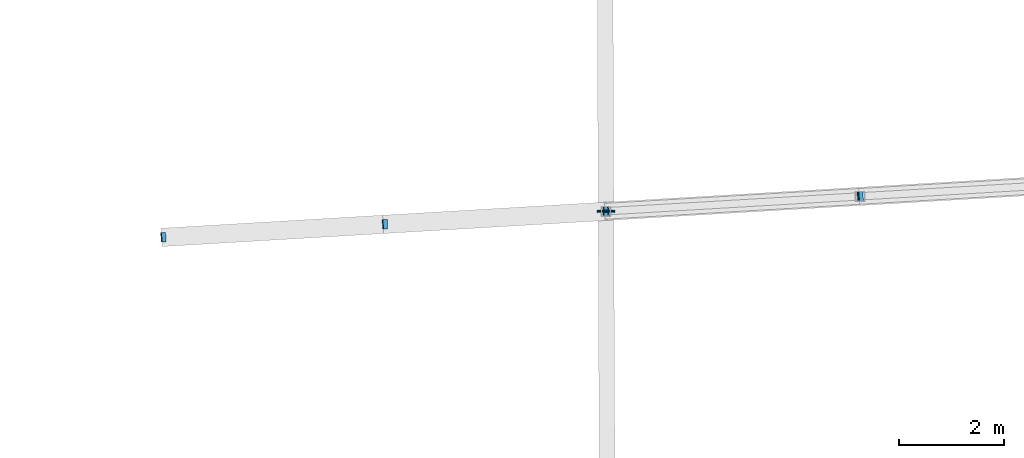
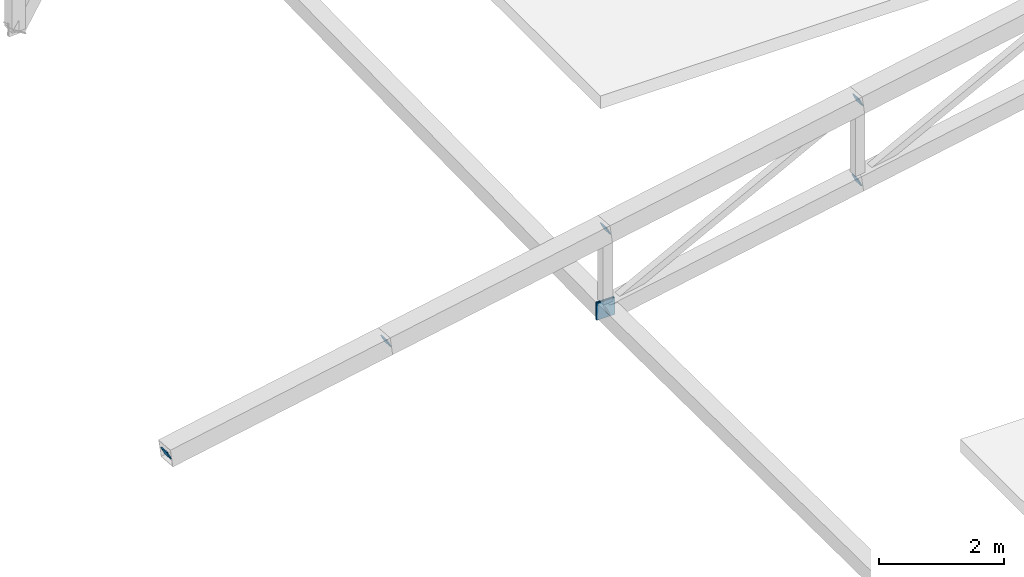
# One storey, part 175 of 188: 8 discrete accessories.
"""IFC4 building model written with IfcOpenShell, lengths in metres."""

import ifcopenshell
import ifcopenshell.guid

model = None  # the IFC model being written
_history = None  # IfcOwnerHistory: only IFC2X3 demands one
_inside = {}  # id of a spatial element -> (the spatial element, [elements in it])
_under = {}  # id of a project, library or spatial element -> (it, [spatial elements below it])
_declared = {}  # id of a project -> (the project, [libraries it declares])
_typed = {}  # id of a type object -> (the type object, [elements of that type])
_made_of = {}  # id of a material, layer set ... -> (it, [elements and type objects made of it])


def new_model(schema):
    """Start an empty IFC model of exactly this schema.

    Asked for "IFC4X3", IfcOpenShell would pick the latest addendum, in which some entities
    have other attributes; the version numbers below select the first issue.
    IFC2X3 requires an IfcOwnerHistory on every rooted entity: one is made here for all.
    """
    global model, _history
    if schema == "IFC4X3":
        model = ifcopenshell.file(schema_version=(4, 3, 0, 0))
    else:
        model = ifcopenshell.file(schema=schema)
    _inside.clear()
    _under.clear()
    _declared.clear()
    _typed.clear()
    _made_of.clear()
    _history = None
    if model.schema == "IFC2X3":
        org = make("IfcOrganization", Name="unknown")
        user = make(
            "IfcPersonAndOrganization",
            ThePerson=make("IfcPerson", FamilyName="unknown"),
            TheOrganization=org,
        )
        app = make(
            "IfcApplication",
            ApplicationDeveloper=org,
            Version="unknown",
            ApplicationFullName="unknown",
            ApplicationIdentifier="unknown",
        )
        _history = make(
            "IfcOwnerHistory",
            OwningUser=user,
            OwningApplication=app,
            ChangeAction="ADDED",
            CreationDate=0,
        )
    return model


def make(cls, **values):
    """One entity of the class cls with the attributes given. An attribute that is None is left unset."""
    return model.create_entity(
        cls, **{name: value for name, value in values.items() if value is not None}
    )


def rooted(cls, **values):
    """An entity with a GlobalId (a new one), such as an element, a storey or a relation."""
    return make(cls, GlobalId=ifcopenshell.guid.new(), OwnerHistory=_history, **values)


def si_unit(unit_type, name, prefix=None):
    """IfcSIUnit, for example si_unit("LENGTHUNIT", "METRE", prefix="MILLI")."""
    return make("IfcSIUnit", UnitType=unit_type, Prefix=prefix, Name=name)


def assignment(units):
    """IfcUnitAssignment: the units of a project."""
    return None if units is None else make("IfcUnitAssignment", Units=units)


def point(xyz):
    """IfcCartesianPoint."""
    return None if xyz is None else make("IfcCartesianPoint", Coordinates=xyz)


def direction(xyz):
    """IfcDirection."""
    return None if xyz is None else make("IfcDirection", DirectionRatios=xyz)


def frame(location, z_axis=None, x_axis=None):
    """IfcAxis2Placement3D, a coordinate frame: its origin and axes. An axis left out is left unset."""
    return make(
        "IfcAxis2Placement3D",
        Location=point(location),
        Axis=direction(z_axis),
        RefDirection=direction(x_axis),
    )


def frame_2d(location, x_axis=None):
    """IfcAxis2Placement2D, a coordinate frame in the plane: its origin and x axis."""
    return make(
        "IfcAxis2Placement2D", Location=point(location), RefDirection=direction(x_axis)
    )


def origin():
    """The frame at (0, 0, 0) with its axes left unset."""
    return frame((0.0, 0.0, 0.0))


def origin_2d():
    """The frame at (0, 0) in the plane with its x axis left unset."""
    return frame_2d((0.0, 0.0))


def place(relative_to, where):
    """IfcLocalPlacement: puts the frame where relative to a parent placement (None: the world)."""
    return make(
        "IfcLocalPlacement", PlacementRelTo=relative_to, RelativePlacement=where
    )


def context(
    kind, dimensions, precision=None, world=None, true_north=None, identifier=None
):
    """IfcGeometricRepresentationContext, for example the 3D "Model" context."""
    return make(
        "IfcGeometricRepresentationContext",
        ContextIdentifier=identifier,
        ContextType=kind,
        CoordinateSpaceDimension=dimensions,
        Precision=precision,
        WorldCoordinateSystem=world,
        TrueNorth=true_north,
    )


def subcontext(parent, identifier, kind, view, scale=None):
    """IfcGeometricRepresentationSubContext, for example "Body" below "Model"."""
    return make(
        "IfcGeometricRepresentationSubContext",
        ContextIdentifier=identifier,
        ContextType=kind,
        ParentContext=parent,
        TargetScale=scale,
        TargetView=view,
    )


def project(units=None, contexts=None):
    """IfcProject with its units and contexts."""
    return rooted(
        "IfcProject",
        Name="project",
        RepresentationContexts=contexts,
        UnitsInContext=assignment(units),
    )


def spatial(cls, under=None, at=None, **own):
    """A site, building, storey or space (cls), placed at a placement, below another one or the project."""
    s = rooted(cls, ObjectPlacement=at, **own)
    if under is not None:
        _under.setdefault(under.id(), (under, []))[1].append(s)
    return s


def profile(cls, at=None, kind="AREA", **sizes):
    """A parametric profile (cls). Its sizes go by their IFC names, for example OverallWidth=200.0."""
    return make(cls, ProfileType=kind, Position=at, **sizes)


def rectangle(**sizes):
    """IfcRectangleProfileDef."""
    return profile("IfcRectangleProfileDef", **sizes)


def extrude(swept, where, along, depth):
    """IfcExtrudedAreaSolid: the profile swept, set in the frame where, extruded along a direction by depth."""
    return make(
        "IfcExtrudedAreaSolid",
        SweptArea=swept,
        Position=where,
        ExtrudedDirection=direction(along),
        Depth=depth,
    )


def shape(context_of_items, identifier, shape_type, items):
    """IfcShapeRepresentation: the items that make up one representation, for example the "Body"."""
    return make(
        "IfcShapeRepresentation",
        ContextOfItems=context_of_items,
        RepresentationIdentifier=identifier,
        RepresentationType=shape_type,
        Items=items,
    )


def material(Name=None, Category=None):
    """IfcMaterial."""
    return make("IfcMaterial", Name=Name, Category=Category)


def material_profile(
    of_material, cross_section, Name=None, Category=None, Priority=None
):
    """IfcMaterialProfile: a cross section and its material."""
    return make(
        "IfcMaterialProfile",
        Name=Name,
        Material=of_material,
        Profile=cross_section,
        Priority=Priority,
        Category=Category,
    )


def profile_set(profiles, Name=None, composite=None):
    """IfcMaterialProfileSet."""
    return make(
        "IfcMaterialProfileSet",
        Name=Name,
        MaterialProfiles=profiles,
        CompositeProfile=composite,
    )


def made_of(thing, what):
    """Note that an element or type object is made of a material, layer set ...; save() writes the relation."""
    if what is not None:
        _made_of.setdefault(what.id(), (what, []))[1].append(thing)
    return thing


def type_object(cls, material=None, **own):
    """A type object (cls), such as IfcWallType, which elements share."""
    return made_of(rooted(cls, **own), material)


def element(
    cls,
    number,
    at=None,
    inside=None,
    cuts=None,
    type_object=None,
    material=None,
    context=None,
    identifier="Body",
    shape_type=None,
    held_by="IfcProductDefinitionShape",
    body=None,
    shapes=None,
    **own,
):
    """One element of the class cls, such as IfcWall. Its Tag is "e" and its number.

    at: its placement. inside: the storey or other place that contains it. cuts: it is an
    opening in that element (IfcRelVoidsElement). A single representation is given by context,
    identifier, shape_type and body (its items); several are given by shapes. held_by: the class
    of the entity that holds the representations. save() writes the other relations.
    """
    e = rooted(cls, Tag="e%d" % number, ObjectPlacement=at, **own)
    if body is not None:
        shapes = [shape(context, identifier, shape_type, body)]
    if shapes is not None:
        e.Representation = make(held_by, Representations=shapes)
    if inside is not None:
        _inside.setdefault(inside.id(), (inside, []))[1].append(e)
    if cuts is not None:
        rooted(
            "IfcRelVoidsElement", RelatingBuildingElement=cuts, RelatedOpeningElement=e
        )
    if type_object is not None:
        _typed.setdefault(type_object.id(), (type_object, []))[1].append(e)
    return made_of(e, material)


def aggregate(whole, parts):
    """IfcRelAggregates: a whole, such as a stair, and the parts it consists of."""
    return rooted("IfcRelAggregates", RelatingObject=whole, RelatedObjects=parts)


def save(model, path):
    """Write the relations noted so far, then the file.

    IfcRelAggregates (storeys below a building ...), IfcRelContainedInSpatialStructure (elements
    in a storey), IfcRelDefinesByType, IfcRelAssociatesMaterial and IfcRelDeclares: one each for
    every whole, place, type object, material and project.
    """
    for whole, parts in _under.values():
        aggregate(whole, parts)
    for where, things in _inside.values():
        rooted(
            "IfcRelContainedInSpatialStructure",
            RelatedElements=things,
            RelatingStructure=where,
        )
    for kind, things in _typed.values():
        rooted("IfcRelDefinesByType", RelatedObjects=things, RelatingType=kind)
    for what, things in _made_of.values():
        rooted("IfcRelAssociatesMaterial", RelatedObjects=things, RelatingMaterial=what)
    for by, libraries in _declared.values():
        rooted("IfcRelDeclares", RelatingContext=by, RelatedDefinitions=libraries)
    model.write(path)


model = new_model("IFC4")

# Units and contexts
model_context = context("Model", 3, precision=1e-05, world=origin(), true_north=direction((0.0, 1.0)))
body_context = subcontext(model_context, "Body", "Model", "MODEL_VIEW")
ifc_project = project(units=[si_unit("LENGTHUNIT", "METRE"), si_unit("AREAUNIT", "SQUARE_METRE"), si_unit("VOLUMEUNIT", "CUBIC_METRE"), si_unit("PLANEANGLEUNIT", "RADIAN"), si_unit("MASSUNIT", "GRAM", prefix="KILO")], contexts=[model_context])

# Site, building, storey
site_placement = place(None, origin())
site = spatial("IfcSite", under=ifc_project, at=site_placement, CompositionType="ELEMENT")
building_placement = place(site_placement, origin())
building = spatial("IfcBuilding", under=site, at=building_placement, Name="Meseta Stadium", CompositionType="ELEMENT")
storey_placement = place(building_placement, frame((0.0, 0.0, 30.0)))
storey = spatial("IfcBuildingStorey", under=building, at=storey_placement, Name="ROOF", CompositionType="ELEMENT", Elevation=30.0)

# Discrete accessories
ifc_material_1 = material(Name="Steel S355", Category="steel")
ifc_material_profile_1 = material_profile(ifc_material_1, rectangle(XDim=0.179931640625, YDim=0.179931640625, at=origin_2d()), Name="PL 180x180")
ifc_profile_set_1 = profile_set([ifc_material_profile_1], Name="Steel S355")
discrete_accessory_type_1 = type_object("IfcDiscreteAccessoryType", Name="End plate 180x180x20", PredefinedType="ANCHORPLATE", material=ifc_profile_set_1)
for number, where, z_axis, x_axis, name in (
    (1, (76.495361328125, 30.1865234375, 1.208984375), (0.89817466964, 0.048549982143, 0.436949839284), (-0.053975258015, 0.998542273278, 0.0), "End plate of ROOF TRUSS RT-07 diagonal"),
    (2, (80.71044921875, 30.43408203125, 1.78173828125), (0.890906631558, 0.048816801729, 0.451555415995), (-0.054712446702, 0.998502152314, 0.0), "End plate of ROOF TRUSS RT-07 diagonal"),
    (3, (84.92529296875, 30.681640625, 2.3544921875), (0.890310108805, 0.060980144439, 0.451253068847), (-0.068333052409, 0.997662565173, 0.0), "End plate of ROOF TRUSS RT-07 diagonal"),
    (4, (84.9072265625, 30.6806640625, 0.791748046875), (0.907582711304, 0.049058524935, 0.416997461951), (-0.053975258015, 0.998542273278, 0.0), "End plate of ROOF TRUSS RT-07 diagonal"),
    (5, (89.7626953125, 30.9658203125, 3.011962890625), (0.906968995888, 0.061281688911, 0.416715484597), (-0.067413857992, 0.997725098286, 0.0), "End plate of ROOF TRUSS RT-07 diagonal"),
    (6, (89.744384765625, 30.96484375, 1.44921875), (0.90970928719, 0.04851782865, 0.412401543526), (-0.053257642916, 0.998580804678, 0.0), "End plate of ROOF TRUSS RT-07 diagonal"),
):
    element("IfcDiscreteAccessory", number, at=place(storey_placement, frame(where, z_axis=z_axis, x_axis=x_axis)), inside=storey, type_object=discrete_accessory_type_1, Name=name, PredefinedType="ANCHORPLATE", context=body_context, shape_type="SweptSolid", body=[
        extrude(rectangle(XDim=0.179931640625, YDim=0.179931640625, at=origin_2d()), origin(), (0.0, 0.0, 1.0), 0.02001953125),
    ])
ifc_material_2 = material(Name="Steel S355", Category="steel")
ifc_material_profile_2 = material_profile(ifc_material_2, rectangle(XDim=0.340087890625, YDim=0.340087890625, at=origin_2d()), Name="PL 340x340")
ifc_profile_set_2 = profile_set([ifc_material_profile_2], Name="Steel S355")
discrete_accessory_type_2 = type_object("IfcDiscreteAccessoryType", Name="End plate 340x340x20", PredefinedType="ANCHORPLATE", material=ifc_profile_set_2)
for number, where, z_axis, x_axis, name in (
    (7, (84.92529296875, 30.681640625, 0.800048828125), (0.0, 0.999925647793, -0.012194215217), (-1.0, 0.0, 0.0), "End plate of ROOF PIVOT STRUT RT-06/07"),
    (8, (84.92529296875, 30.66162109375, 0.799560546875), (0.0, 0.999702690643, 0.024382992455), (-1.0, 0.0, 0.0), "End plate of ROOF PIVOT STRUT RT-07/08"),
):
    element("IfcDiscreteAccessory", number, at=place(storey_placement, frame(where, z_axis=z_axis, x_axis=x_axis)), inside=storey, type_object=discrete_accessory_type_2, Name=name, PredefinedType="ANCHORPLATE", context=body_context, shape_type="SweptSolid", body=[
        extrude(rectangle(XDim=0.340087890625, YDim=0.340087890625, at=origin_2d()), origin(), (0.0, 0.0, 1.0), 0.02001953125),
    ])

save(model, "model.ifc")
